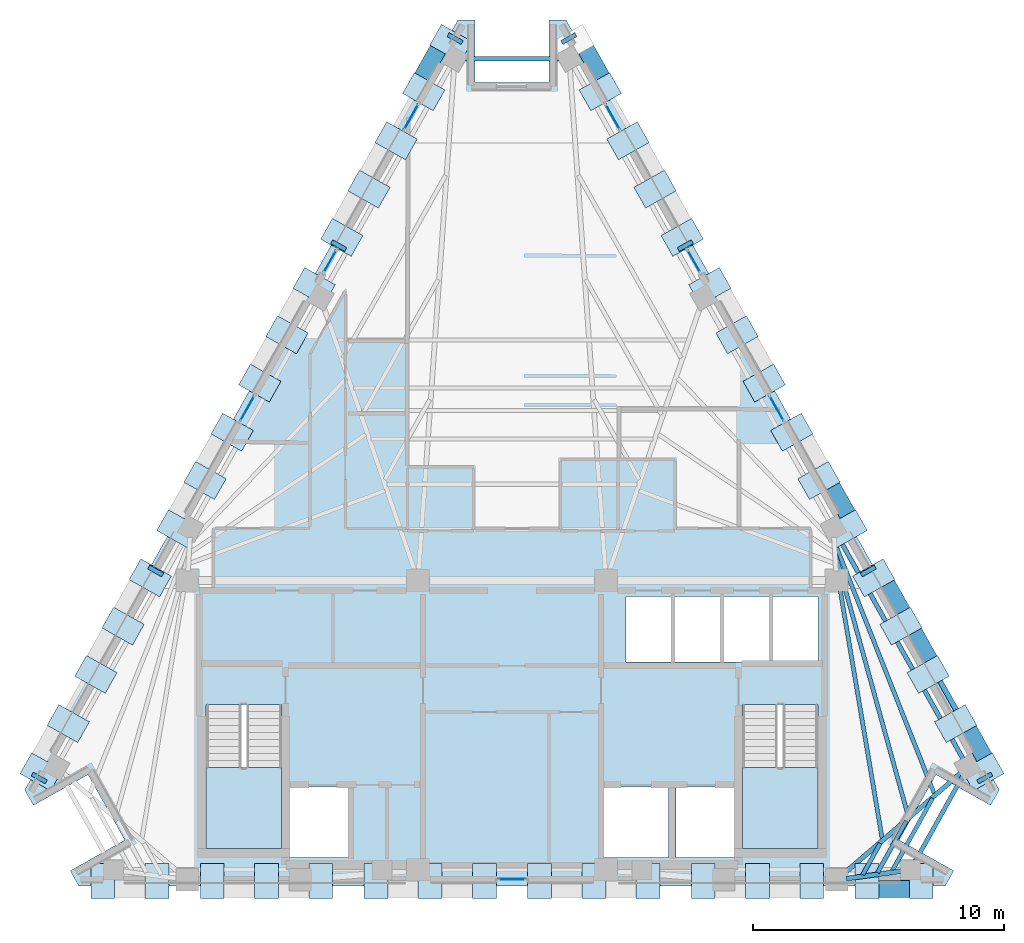
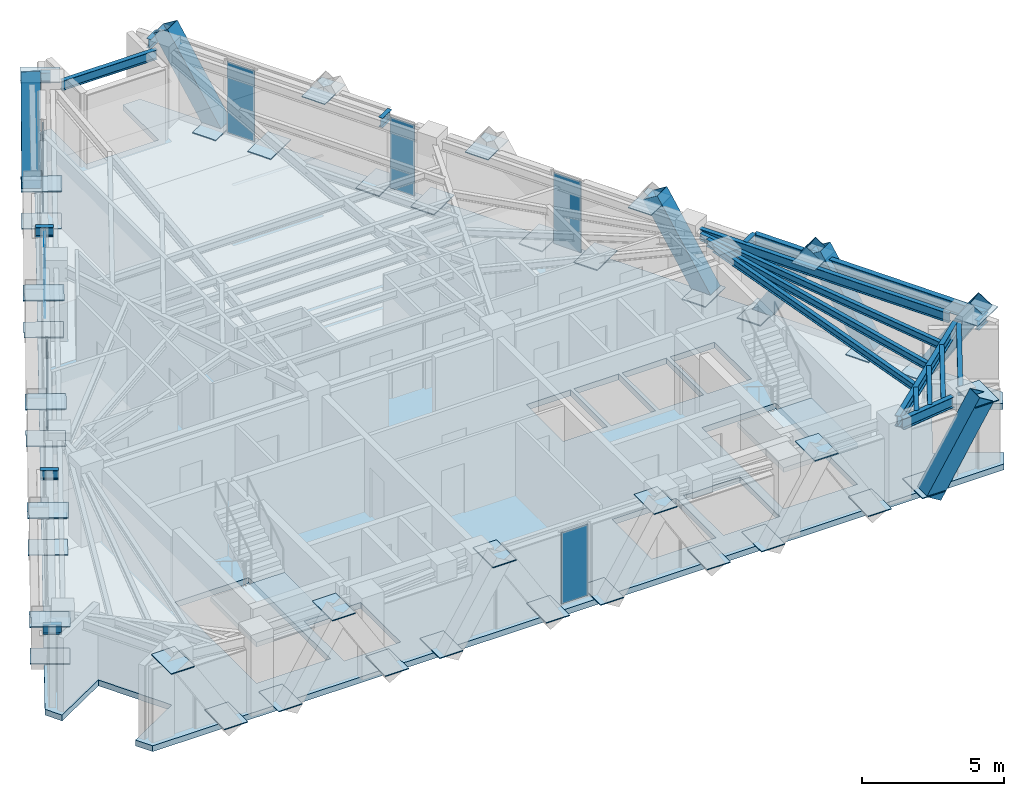
# One storey, part 4 of 9: 54 plates, 20 beams, 7 members, 3 slabs, 9 elements without a shape of their own.
"""IFC4 building model written with IfcOpenShell, lengths in metres."""

from ifc_helpers import new_model, si_unit, direction, frame, origin, origin_2d, place, context, subcontext, project, spatial, polyline, rectangle, hollow_rectangle, i_section, outline, extrude, material, layer, layer_set, material_profile, profile_set, type_object, element, aggregate, save


model = new_model("IFC4")

# Units and contexts
model_context = context("Model", 3, precision=1e-05, world=origin(), true_north=direction((0.0, 1.0)))
body_context = subcontext(model_context, "Body", "Model", "MODEL_VIEW")
ifc_project = project(units=[si_unit("LENGTHUNIT", "METRE"), si_unit("AREAUNIT", "SQUARE_METRE"), si_unit("VOLUMEUNIT", "CUBIC_METRE"), si_unit("PLANEANGLEUNIT", "RADIAN"), si_unit("MASSUNIT", "GRAM", prefix="KILO")], contexts=[model_context])

# Site, building, storey
site_placement = place(None, origin())
site = spatial("IfcSite", under=ifc_project, at=site_placement, CompositionType="ELEMENT")
building_placement = place(site_placement, origin())
building = spatial("IfcBuilding", under=site, at=building_placement, Name="Quenlor Broadcast Tower", CompositionType="ELEMENT")
storey_placement = place(building_placement, frame((0.0, 0.0, 267.39990234375)))
storey = spatial("IfcBuildingStorey", under=building, at=storey_placement, Name="L74", CompositionType="ELEMENT", Elevation=267.39990234375)

# Members
ifc_material_1 = material(Name="Steel S355", Category="steel")
ifc_material_profile_1 = material_profile(ifc_material_1, hollow_rectangle(XDim=0.679931640625, YDim=0.679931640625, WallThickness=0.02001953125, at=origin_2d()))
ifc_profile_set_1 = profile_set([ifc_material_profile_1], Name="Steel S355 RHS680x680x20")
member_type = type_object("IfcMemberType", Name="Perimeter Diagonal Lattice Brace Z5-Crown Steel S355 RHS680x20", PredefinedType="BRACE", material=ifc_profile_set_1)
member_placement = place(storey_placement, frame((14.165771484375, -17.1201171875, -0.119873046875), z_axis=(0.523616565236, 0.0, 0.85195404372), x_axis=(0.0, 1.0, 0.0)))
element("IfcMember", 1, at=member_placement, inside=storey, type_object=member_type, Name="L74 Perimeter Diamond Lattice S-C1B", PredefinedType="BRACE", context=body_context, shape_type="SweptSolid", body=[
    extrude(hollow_rectangle(XDim=0.679931640625, YDim=0.679931640625, WallThickness=0.02001953125, at=origin_2d()), origin(), (0.0, 0.0, 1.0), 4.108154296875),
])
for number, where, z_axis, x_axis, name in (
    (2, (3.813720703125, 14.864990234375, -0.119873046875), (-0.260618804175, 0.463276364439, 0.847025884529), (-0.8715547569, -0.490298180422, 0.0), "L74 Perimeter Diamond Lattice NE-C1B"),
    (3, (14.725830078125, -4.534423828125, -0.119873046875), (0.260563732169, -0.463283497491, 0.847038926161), (0.871602253711, 0.49021374045, 0.0), "L74 Perimeter Diamond Lattice NE-C4S"),
    (4, (13.622802734375, -2.573486328125, -0.119873046875), (-0.260618804175, 0.463276364439, 0.847025884529), (-0.8715547569, -0.490298180422, 0.0), "L74 Perimeter Diamond Lattice NE-C4B"),
    (5, (17.99560546875, -10.34716796875, -0.119873046875), (0.260563732169, -0.463283497491, 0.847038926161), (0.871602253711, 0.49021374045, 0.0), "L74 Perimeter Diamond Lattice NE-C5S"),
    (6, (16.892578125, -8.38623046875, -0.119873046875), (-0.260618804175, 0.463276364439, 0.847025884529), (-0.8715547569, -0.490298180422, 0.0), "L74 Perimeter Diamond Lattice NE-C5B"),
    (7, (-3.813720703125, 14.864990234375, -0.119873046875), (0.260618804175, 0.463276364439, 0.847025884529), (-0.8715547569, 0.490298180422, 0.0), "L74 Perimeter Diamond Lattice NW-C5S"),
):
    element("IfcMember", number, at=place(storey_placement, frame(where, z_axis=z_axis, x_axis=x_axis)), inside=storey, type_object=member_type, Name=name, PredefinedType="BRACE", context=body_context, shape_type="SweptSolid", body=[
        extrude(hollow_rectangle(XDim=0.679931640625, YDim=0.679931640625, WallThickness=0.02001953125, at=origin_2d()), origin(), (0.0, 0.0, 1.0), 4.132080078125),
    ])

# Beams
ifc_material_2 = material(Name="Steel S355", Category="steel")
ifc_material_profile_2 = material_profile(ifc_material_2, i_section(OverallWidth=0.208984375, OverallDepth=0.532958984375, WebThickness=0.01025390625, FlangeThickness=0.015625, FilletRadius=0.013916015625, at=origin_2d()))
ifc_profile_set_2 = profile_set([ifc_material_profile_2], Name="Steel S355 530UB92.4")
beam_type_1 = type_object("IfcBeamType", Name="Perimeter Spandrel Beam Z1 Steel S355 530UB92.4", PredefinedType="SPANDREL", material=ifc_profile_set_2)
beam_1_placement = place(storey_placement, frame((14.521484375, -4.27294921875, 2.91357421875), z_axis=(0.490248956779, -0.871582446116, 0.0), x_axis=(0.871582446116, 0.490248956779, 0.0)))
element("IfcBeam", 8, at=beam_1_placement, inside=storey, type_object=beam_type_1, Name="L74 Lattice Sill Girder NEB", PredefinedType="SPANDREL", context=body_context, shape_type="SweptSolid", body=[
    extrude(i_section(OverallWidth=0.208984375, OverallDepth=0.532958984375, WebThickness=0.01025390625, FlangeThickness=0.015625, FilletRadius=0.013916015625, at=origin_2d()), origin(), (0.0, 0.0, 1.0), 9.43701171875),
])
ifc_material_3 = material(Name="Steel S355", Category="steel")
ifc_material_profile_3 = material_profile(ifc_material_3, i_section(OverallWidth=0.177978515625, OverallDepth=0.406494140625, WebThickness=0.0078125, FlangeThickness=0.0126953125, FilletRadius=0.011474609375, at=origin_2d()))
ifc_profile_set_3 = profile_set([ifc_material_profile_3], Name="Steel S355 410UB59.7")
beam_type_2 = type_object("IfcBeamType", Name="Perimeter Spandrel Beam Z5 Steel S355 410UB59.7", PredefinedType="SPANDREL", material=ifc_profile_set_3)
beam_2_placement = place(storey_placement, frame((16.07275390625, -16.035400390625, 2.976806640625), z_axis=(0.486800618374, 0.873513112638, 0.0), x_axis=(-0.873513112638, 0.486800618374, 0.0)))
element("IfcBeam", 9, at=beam_2_placement, inside=storey, type_object=beam_type_2, Name="L74 Spandrel Beam S4-NE1", PredefinedType="SPANDREL", context=body_context, shape_type="SweptSolid", body=[
    extrude(i_section(OverallWidth=0.177978515625, OverallDepth=0.406494140625, WebThickness=0.0078125, FlangeThickness=0.0126953125, FilletRadius=0.011474609375, at=origin_2d()), origin(), (0.0, 0.0, 1.0), 3.9736328125),
])
beam_3_placement = place(storey_placement, frame((18.005859375, -11.93603515625, 2.976806640625), z_axis=(-0.490274867878, 0.871567871096, 0.0), x_axis=(-0.871567871096, -0.490274867878, 0.0)))
element("IfcBeam", 10, at=beam_3_placement, inside=storey, type_object=beam_type_2, Name="L74 Spandrel Beam NE1-NE2", PredefinedType="SPANDREL", context=body_context, shape_type="SweptSolid", body=[
    extrude(i_section(OverallWidth=0.177978515625, OverallDepth=0.406494140625, WebThickness=0.0078125, FlangeThickness=0.0126953125, FilletRadius=0.011474609375, at=origin_2d()), origin(), (0.0, 0.0, 1.0), 10.206298828125),
])
beam_4_placement = place(storey_placement, frame((1.9248046875, 16.012451171875, 2.976806640625), z_axis=(-1.0, 0.0, 0.0), x_axis=(0.0, -1.0, 0.0)))
element("IfcBeam", 11, at=beam_4_placement, inside=storey, type_object=beam_type_2, Name="L74 Spandrel Beam NE4-NW1", PredefinedType="SPANDREL", context=body_context, shape_type="SweptSolid", body=[
    extrude(i_section(OverallWidth=0.177978515625, OverallDepth=0.406494140625, WebThickness=0.0078125, FlangeThickness=0.0126953125, FilletRadius=0.011474609375, at=origin_2d()), origin(), (0.0, 0.0, 1.0), 3.849609375),
])
for number, where, z_axis, x_axis, name in (
    (12, (1.989013671875, 16.66064453125, 2.976806640625), (0.871463475609, 0.490460406842, 0.0), (-0.490460406842, 0.871463475609, 0.0), "L74 Lattice Sill Radial Tie NEA1"),
    (13, (6.635009765625, 8.40087890625, 2.976806640625), (0.871718074313, 0.490007753934, 0.0), (-0.490007753934, 0.871718074313, 0.0), "L74 Lattice Sill Radial Tie NEA2"),
    (14, (13.936279296875, -4.5791015625, 2.976806640625), (0.871626468653, 0.490170683684, 0.0), (-0.490170683684, 0.871626468653, 0.0), "L74 Lattice Sill Radial Tie NEB1"),
    (15, (18.58251953125, -12.839111328125, 2.976806640625), (0.871626468653, 0.490170683684, 0.0), (-0.490170683684, 0.871626468653, 0.0), "L74 Lattice Sill Radial Tie NEB2"),
    (16, (-18.58251953125, -12.839111328125, 2.976806640625), (-0.871626468653, 0.490170683684, 0.0), (-0.490170683684, -0.871626468653, 0.0), "L74 Lattice Sill Radial Tie NWA1"),
    (17, (-13.936279296875, -4.5791015625, 2.976806640625), (-0.871626468653, 0.490170683684, 0.0), (-0.490170683684, -0.871626468653, 0.0), "L74 Lattice Sill Radial Tie NWA2"),
    (18, (-6.635009765625, 8.40087890625, 2.976806640625), (-0.871718074313, 0.490007753934, 0.0), (-0.490007753934, -0.871718074313, 0.0), "L74 Lattice Sill Radial Tie NWB1"),
    (19, (-1.989013671875, 16.66064453125, 2.976806640625), (-0.871463475609, 0.490460406842, 0.0), (-0.490460406842, -0.871463475609, 0.0), "L74 Lattice Sill Radial Tie NWB2"),
):
    element("IfcBeam", number, at=place(storey_placement, frame(where, z_axis=z_axis, x_axis=x_axis)), inside=storey, type_object=beam_type_2, Name=name, PredefinedType="SPANDREL", context=body_context, shape_type="SweptSolid", body=[
        extrude(i_section(OverallWidth=0.177978515625, OverallDepth=0.406494140625, WebThickness=0.0078125, FlangeThickness=0.0126953125, FilletRadius=0.011474609375, at=origin_2d()), origin(), (0.0, 0.0, 1.0), 0.64013671875),
    ])
ifc_material_4 = material(Name="Steel S355", Category="steel")
ifc_material_profile_4 = material_profile(ifc_material_4, i_section(OverallWidth=0.166015625, OverallDepth=0.30712890625, WebThickness=0.006591796875, FlangeThickness=0.01171875, FilletRadius=0.011474609375, at=origin_2d()))
ifc_profile_set_4 = profile_set([ifc_material_profile_4], Name="Steel S355 310UB46.2")
beam_type_3 = type_object("IfcBeamType", Name="Tower Composite Joist Z4-Z5 Steel S355 310UB46.2", PredefinedType="JOIST", material=ifc_profile_set_4)
beam_5_placement = place(storey_placement, frame((14.76806640625, -15.09619140625, 3.026611328125), z_axis=(-0.166553293246, 0.986032454085, 0.0), x_axis=(-0.986032454085, -0.166553293246, 0.0)))
element("IfcBeam", 20, at=beam_5_placement, inside=storey, type_object=beam_type_3, Name="L74 Secondary Composite Joist 16", PredefinedType="JOIST", context=body_context, shape_type="SweptSolid", body=[
    extrude(i_section(OverallWidth=0.166015625, OverallDepth=0.30712890625, WebThickness=0.006591796875, FlangeThickness=0.01171875, FilletRadius=0.011474609375, at=origin_2d()), origin(), (0.0, 0.0, 1.0), 11.097900390625),
])
beam_6_placement = place(storey_placement, frame((15.806396484375, -14.197998046875, 3.026611328125), z_axis=(-0.26744552871, 0.96357298072, 0.0), x_axis=(-0.96357298072, -0.26744552871, 0.0)))
element("IfcBeam", 21, at=beam_6_placement, inside=storey, type_object=beam_type_3, Name="L74 Secondary Composite Joist 17", PredefinedType="JOIST", context=body_context, shape_type="SweptSolid", body=[
    extrude(i_section(OverallWidth=0.166015625, OverallDepth=0.30712890625, WebThickness=0.006591796875, FlangeThickness=0.01171875, FilletRadius=0.011474609375, at=origin_2d()), origin(), (0.0, 0.0, 1.0), 10.856689453125),
])
beam_7_placement = place(storey_placement, frame((16.8447265625, -13.300537109375, 3.026611328125), z_axis=(-0.368680258049, 0.929556274426, 0.0), x_axis=(-0.929556274426, -0.368680258049, 0.0)))
element("IfcBeam", 22, at=beam_7_placement, inside=storey, type_object=beam_type_3, Name="L74 Secondary Composite Joist 18", PredefinedType="JOIST", context=body_context, shape_type="SweptSolid", body=[
    extrude(i_section(OverallWidth=0.166015625, OverallDepth=0.30712890625, WebThickness=0.006591796875, FlangeThickness=0.01171875, FilletRadius=0.011474609375, at=origin_2d()), origin(), (0.0, 0.0, 1.0), 10.737548828125),
])
beam_8_placement = place(storey_placement, frame((13.9912109375, -16.544189453125, 3.026611328125), z_axis=(0.486624304452, 0.873611347406, 0.0), x_axis=(-0.873611347406, 0.486624304452, 0.0)))
element("IfcBeam", 23, at=beam_8_placement, inside=storey, type_object=beam_type_3, Name="L74 Secondary Composite Joist 22", PredefinedType="JOIST", context=body_context, shape_type="SweptSolid", body=[
    extrude(i_section(OverallWidth=0.166015625, OverallDepth=0.30712890625, WebThickness=0.006591796875, FlangeThickness=0.01171875, FilletRadius=0.011474609375, at=origin_2d()), origin(), (0.0, 0.0, 1.0), 1.435791015625),
])
beam_9_placement = place(storey_placement, frame((14.58056640625, -16.464111328125, 3.026611328125), z_axis=(0.486820963037, 0.873501774439, 0.0), x_axis=(-0.873501774439, 0.486820963037, 0.0)))
element("IfcBeam", 24, at=beam_9_placement, inside=storey, type_object=beam_type_3, Name="L74 Secondary Composite Joist 23", PredefinedType="JOIST", context=body_context, shape_type="SweptSolid", body=[
    extrude(i_section(OverallWidth=0.166015625, OverallDepth=0.30712890625, WebThickness=0.006591796875, FlangeThickness=0.01171875, FilletRadius=0.011474609375, at=origin_2d()), origin(), (0.0, 0.0, 1.0), 2.37451171875),
])
beam_10_placement = place(storey_placement, frame((15.170166015625, -16.384033203125, 3.026611328125), z_axis=(0.486762404011, 0.873534408046, 0.0), x_axis=(-0.873534408046, 0.486762404011, 0.0)))
element("IfcBeam", 25, at=beam_10_placement, inside=storey, type_object=beam_type_3, Name="L74 Secondary Composite Joist 24", PredefinedType="JOIST", context=body_context, shape_type="SweptSolid", body=[
    extrude(i_section(OverallWidth=0.166015625, OverallDepth=0.30712890625, WebThickness=0.006591796875, FlangeThickness=0.01171875, FilletRadius=0.011474609375, at=origin_2d()), origin(), (0.0, 0.0, 1.0), 3.313232421875),
])
ifc_material_5 = material(Name="Steel S355", Category="steel")
ifc_material_profile_5 = material_profile(ifc_material_5, i_section(OverallWidth=0.19091796875, OverallDepth=0.46044921875, WebThickness=0.010009765625, FlangeThickness=0.01611328125, FilletRadius=0.011474609375, at=origin_2d()))
ifc_profile_set_5 = profile_set([ifc_material_profile_5], Name="Steel S355 460UB82.1")
beam_type_4 = type_object("IfcBeamType", Name="Tower Primary Floor Beam Z5 Steel S355 460UB82.1", PredefinedType="BEAM", material=ifc_profile_set_5)
beam_11_placement = place(storey_placement, frame((15.541015625, -16.3984375, 2.949951171875), z_axis=(-0.990917044125, -0.134474576267, 0.0), x_axis=(0.134474576267, -0.990917044125, 0.0)))
element("IfcBeam", 26, at=beam_11_placement, inside=storey, type_object=beam_type_4, Name="L74 Primary Radial Beam S4", PredefinedType="BEAM", context=body_context, shape_type="SweptSolid", body=[
    extrude(i_section(OverallWidth=0.19091796875, OverallDepth=0.46044921875, WebThickness=0.010009765625, FlangeThickness=0.01611328125, FilletRadius=0.011474609375, at=origin_2d()), origin(), (0.0, 0.0, 1.0), 2.23486328125),
])
beam_12_placement = place(storey_placement, frame((17.909423828125, -12.484619140625, 2.949951171875), z_axis=(-0.75817030855, -0.652056579779, 0.0), x_axis=(0.652056579779, -0.75817030855, 0.0)))
element("IfcBeam", 27, at=beam_12_placement, inside=storey, type_object=beam_type_4, Name="L74 Primary Radial Beam NE1", PredefinedType="BEAM", context=body_context, shape_type="SweptSolid", body=[
    extrude(i_section(OverallWidth=0.19091796875, OverallDepth=0.46044921875, WebThickness=0.010009765625, FlangeThickness=0.01611328125, FilletRadius=0.011474609375, at=origin_2d()), origin(), (0.0, 0.0, 1.0), 6.161376953125),
])

# Curtain wall, plate
ifc_material_6 = material(Name="Architectural Terracotta and Low-E Glazing", Category="masonry")
curtain_wall_type = type_object("IfcCurtainWallType", Name="Unitised Terracotta Curtain Wall System Z5", PredefinedType="NOTDEFINED", material=ifc_material_6)
curtain_wall_1_placement = place(storey_placement, origin())
curtain_wall_1 = element("IfcCurtainWall", 28, at=curtain_wall_1_placement, inside=storey, type_object=curtain_wall_type, Name="L74 Curtain Wall CW5 (L74-S-G1)", PredefinedType="NOTDEFINED")
ifc_material_7 = material(Name="Double Glazed Low-E Solar Glass", Category="glass")
ifc_layer_1 = layer(ifc_material_7, 0.02587890625)
ifc_layer_set_1 = layer_set([ifc_layer_1], Name="CW5 Double Glazed Vision Panel 26")
plate_type_1 = type_object("IfcPlateType", Name="CW5 Double Glazed Vision Panel 26", PredefinedType="CURTAIN_PANEL", material=ifc_layer_set_1)
plate_1_placement = place(storey_placement, frame((0.0, -16.72509765625, 0.06494140625), z_axis=(0.0, 0.0, 1.0), x_axis=(-1.0, 0.0, 0.0)))
plate_1 = element("IfcPlate", 29, at=plate_1_placement, type_object=plate_type_1, Name="CW5 panel 1.1", PredefinedType="CURTAIN_PANEL", context=body_context, shape_type="SweptSolid", body=[
    extrude(rectangle(XDim=1.081298828125, YDim=0.02587890625, at=origin_2d()), origin(), (0.0, 0.0, 1.0), 3.050048828125),
])
aggregate(curtain_wall_1, [plate_1])

curtain_wall_2_placement = place(storey_placement, origin())
curtain_wall_2 = element("IfcCurtainWall", 30, at=curtain_wall_2_placement, inside=storey, type_object=curtain_wall_type, Name="L74 Curtain Wall CW5 (L74-NEA-G1)", PredefinedType="NOTDEFINED")
plate_2_placement = place(storey_placement, frame((4.02099609375, 13.69091796875, 0.06494140625), z_axis=(0.0, 0.0, 1.0), x_axis=(0.49029137745, -0.871558583916, 0.0)))
plate_2 = element("IfcPlate", 31, at=plate_2_placement, type_object=plate_type_1, Name="CW5 panel 1.1", PredefinedType="CURTAIN_PANEL", context=body_context, shape_type="SweptSolid", body=[
    extrude(rectangle(XDim=1.13037109375, YDim=0.02587890625, at=origin_2d()), origin(), (0.0, 0.0, 1.0), 3.050048828125),
])
aggregate(curtain_wall_2, [plate_2])

curtain_wall_3_placement = place(storey_placement, origin())
curtain_wall_3 = element("IfcCurtainWall", 32, at=curtain_wall_3_placement, inside=storey, type_object=curtain_wall_type, Name="L74 Curtain Wall CW5 (L74-NEA-G2)", PredefinedType="NOTDEFINED")
plate_3_placement = place(storey_placement, frame((7.258056640625, 7.935791015625, 0.06494140625), z_axis=(0.0, 0.0, 1.0), x_axis=(0.490282293669, -0.871563693894, 0.0)))
plate_3 = element("IfcPlate", 33, at=plate_3_placement, type_object=plate_type_1, Name="CW5 panel 1.1", PredefinedType="CURTAIN_PANEL", context=body_context, shape_type="SweptSolid", body=[
    extrude(rectangle(XDim=0.99755859375, YDim=0.02587890625, at=origin_2d()), origin(), (0.0, 0.0, 1.0), 3.050048828125),
])
aggregate(curtain_wall_3, [plate_3])

curtain_wall_4_placement = place(storey_placement, origin())
curtain_wall_4 = element("IfcCurtainWall", 34, at=curtain_wall_4_placement, inside=storey, type_object=curtain_wall_type, Name="L74 Curtain Wall CW5 (L74-NE-G1)", PredefinedType="NOTDEFINED")
plate_4_placement = place(storey_placement, frame((10.560302734375, 2.065185546875, 0.06494140625), z_axis=(0.0, 0.0, 1.0), x_axis=(0.490231100048, -0.871592489955, 0.0)))
plate_4 = element("IfcPlate", 35, at=plate_4_placement, type_object=plate_type_1, Name="CW5 panel 1.1", PredefinedType="CURTAIN_PANEL", context=body_context, shape_type="SweptSolid", body=[
    extrude(rectangle(XDim=1.130126953125, YDim=0.02587890625, at=origin_2d()), origin(), (0.0, 0.0, 1.0), 3.050048828125),
])
aggregate(curtain_wall_4, [plate_4])

curtain_wall_5_placement = place(storey_placement, origin())
curtain_wall_5 = element("IfcCurtainWall", 36, at=curtain_wall_5_placement, inside=storey, type_object=curtain_wall_type, Name="L74 Curtain Wall CW5 (L74-NWC-G1)", PredefinedType="NOTDEFINED")
plate_5_placement = place(storey_placement, frame((-7.258056640625, 7.935791015625, 0.06494140625), z_axis=(0.0, 0.0, 1.0), x_axis=(0.490282293669, 0.871563693894, 0.0)))
plate_5 = element("IfcPlate", 37, at=plate_5_placement, type_object=plate_type_1, Name="CW5 panel 1.1", PredefinedType="CURTAIN_PANEL", context=body_context, shape_type="SweptSolid", body=[
    extrude(rectangle(XDim=0.99755859375, YDim=0.02587890625, at=origin_2d()), origin(), (0.0, 0.0, 1.0), 3.050048828125),
])
aggregate(curtain_wall_5, [plate_5])

curtain_wall_6_placement = place(storey_placement, origin())
curtain_wall_6 = element("IfcCurtainWall", 38, at=curtain_wall_6_placement, inside=storey, type_object=curtain_wall_type, Name="L74 Curtain Wall CW5 (L74-NWC-G2)", PredefinedType="NOTDEFINED")
plate_6_placement = place(storey_placement, frame((-4.02099609375, 13.69091796875, 0.06494140625), z_axis=(0.0, 0.0, 1.0), x_axis=(0.49029137745, 0.871558583916, 0.0)))
plate_6 = element("IfcPlate", 39, at=plate_6_placement, type_object=plate_type_1, Name="CW5 panel 1.1", PredefinedType="CURTAIN_PANEL", context=body_context, shape_type="SweptSolid", body=[
    extrude(rectangle(XDim=1.13037109375, YDim=0.02587890625, at=origin_2d()), origin(), (0.0, 0.0, 1.0), 3.050048828125),
])
aggregate(curtain_wall_6, [plate_6])

curtain_wall_7_placement = place(storey_placement, origin())
curtain_wall_7 = element("IfcCurtainWall", 40, at=curtain_wall_7_placement, inside=storey, type_object=curtain_wall_type, Name="L74 Curtain Wall CW5 (L74-NW-G1)", PredefinedType="NOTDEFINED")
plate_7_placement = place(storey_placement, frame((-10.560302734375, 2.065185546875, 0.06494140625), z_axis=(0.0, 0.0, 1.0), x_axis=(0.490231100048, 0.871592489955, 0.0)))
plate_7 = element("IfcPlate", 41, at=plate_7_placement, type_object=plate_type_1, Name="CW5 panel 1.1", PredefinedType="CURTAIN_PANEL", context=body_context, shape_type="SweptSolid", body=[
    extrude(rectangle(XDim=1.130126953125, YDim=0.02587890625, at=origin_2d()), origin(), (0.0, 0.0, 1.0), 3.050048828125),
])
aggregate(curtain_wall_7, [plate_7])

# Stair, slab
ifc_material_8 = material(Name="Precast concrete C40/50", Category="concrete")
stair_type = type_object("IfcStairType", Name="Precast Concrete C40/50 Dogleg Stair H350", PredefinedType="HALF_TURN_STAIR", material=ifc_material_8)
stair_1_placement = place(storey_placement, origin())
stair_1 = element("IfcStair", 42, at=stair_1_placement, inside=storey, type_object=stair_type, Name="L74 West Core Fire-Isolated Exit Stair ST-1", PredefinedType="HALF_TURN_STAIR")
ifc_material_9 = material(Name="Precast concrete C40/50", Category="concrete")
ifc_layer_2 = layer(ifc_material_9, 0.199951171875)
ifc_layer_set_2 = layer_set([ifc_layer_2], Name="Precast Concrete C40/50 Stair Landing Slab 200")
slab_type_1 = type_object("IfcSlabType", Name="Precast Concrete C40/50 Stair Landing Slab 200", PredefinedType="LANDING", material=ifc_layer_set_2)
slab_1_placement = place(storey_placement, frame((0.0, 0.0, 1.550048828125)))
slab_1 = element("IfcSlab", 43, at=slab_1_placement, type_object=slab_type_1, Name="ST-1 landing 1", PredefinedType="LANDING", context=body_context, shape_type="SweptSolid", body=[
    extrude(outline(polyline([(-12.199951171875, -12.27001953125), (-12.199951171875, -15.5), (-9.199951171875, -15.5), (-9.199951171875, -12.27001953125), (-12.199951171875, -12.27001953125)])), origin(), (0.0, 0.0, 1.0), 0.199951171875),
])
aggregate(stair_1, [slab_1])

stair_2_placement = place(storey_placement, origin())
stair_2 = element("IfcStair", 44, at=stair_2_placement, inside=storey, type_object=stair_type, Name="L74 East Core Fire-Isolated Exit Stair ST-2", PredefinedType="HALF_TURN_STAIR")
slab_2_placement = place(storey_placement, frame((0.0, 0.0, 1.550048828125)))
slab_2 = element("IfcSlab", 45, at=slab_2_placement, type_object=slab_type_1, Name="ST-2 landing 1", PredefinedType="LANDING", context=body_context, shape_type="SweptSolid", body=[
    extrude(outline(polyline([(9.199951171875, -12.27001953125), (9.199951171875, -15.5), (12.199951171875, -15.5), (12.199951171875, -12.27001953125), (9.199951171875, -12.27001953125)])), origin(), (0.0, 0.0, 1.0), 0.199951171875),
])
aggregate(stair_2, [slab_2])

# Slab
ifc_material_10 = material(Name="Concrete C40/50", Category="concrete")
ifc_layer_3 = layer(ifc_material_10, 0.25)
ifc_layer_set_3 = layer_set([ifc_layer_3], Name="Tower Composite Concrete C40/50 Slab 250")
slab_type_2 = type_object("IfcSlabType", Name="Tower Composite Concrete C40/50 Slab 250", PredefinedType="FLOOR", material=ifc_layer_set_3)
slab_3_placement = place(storey_placement, frame((0.0, 0.0, -0.25)))
element("IfcSlab", 46, at=slab_3_placement, inside=storey, type_object=slab_type_2, Name="L74 Structural Floor Slab", PredefinedType="FLOOR", context=body_context, shape_type="SweptSolid", body=[
    extrude(outline(polyline([(17.280029296875, -17.0), (17.62548828125, -16.385498046875), (15.44677734375, -15.159912109375), (16.91552734375, -12.548583984375), (19.094482421875, -13.7744140625), (19.43994140625, -13.159912109375), (2.159912109375, 17.56005859375), (1.46875, 17.56005859375), (1.46875, 15.06005859375), (-1.46875, 15.06005859375), (-1.46875, 17.56005859375), (-2.159912109375, 17.56005859375), (-19.43994140625, -13.159912109375), (-19.094482421875, -13.7744140625), (-16.91552734375, -12.548583984375), (-15.44677734375, -15.159912109375), (-17.62548828125, -16.385498046875), (-17.280029296875, -17.0), (17.280029296875, -17.0)]), holes=[polyline([(-12.199951171875, -9.758056640625), (-12.199951171875, -15.5), (-9.199951171875, -15.5), (-9.199951171875, -9.758056640625), (-12.199951171875, -9.758056640625)]), polyline([(9.199951171875, -9.758056640625), (9.199951171875, -15.5), (12.199951171875, -15.5), (12.199951171875, -9.758056640625), (9.199951171875, -9.758056640625)]), polyline([(4.550048828125, -8.050048828125), (6.35009765625, -8.050048828125), (6.35009765625, -5.449951171875), (4.550048828125, -5.449951171875), (4.550048828125, -8.050048828125)]), polyline([(6.5, -8.050048828125), (8.300048828125, -8.050048828125), (8.300048828125, -5.449951171875), (6.5, -5.449951171875), (6.5, -8.050048828125)]), polyline([(8.449951171875, -8.050048828125), (10.25, -8.050048828125), (10.25, -5.449951171875), (8.449951171875, -5.449951171875), (8.449951171875, -8.050048828125)]), polyline([(10.39990234375, -8.050048828125), (12.199951171875, -8.050048828125), (12.199951171875, -5.449951171875), (10.39990234375, -5.449951171875), (10.39990234375, -8.050048828125)]), polyline([(-8.85009765625, -15.85009765625), (-6.550048828125, -15.85009765625), (-6.550048828125, -13.050048828125), (-8.85009765625, -13.050048828125), (-8.85009765625, -15.85009765625)]), polyline([(6.550048828125, -15.85009765625), (8.85009765625, -15.85009765625), (8.85009765625, -13.050048828125), (6.550048828125, -13.050048828125), (6.550048828125, -15.85009765625)]), polyline([(3.64990234375, -15.85009765625), (6.25, -15.85009765625), (6.25, -13.050048828125), (3.64990234375, -13.050048828125), (3.64990234375, -15.85009765625)])]), origin(), (0.0, 0.0, 1.0), 0.25),
])

# Plates
ifc_material_11 = material(Name="Steel S355", Category="steel")
ifc_layer_4 = layer(ifc_material_11, 0.035888671875)
ifc_layer_set_4 = layer_set([ifc_layer_4], Name="Transfer Truss Steel S355 Gusset Node Plate 1400x950x36")
plate_type_2 = type_object("IfcPlateType", Name="Transfer Truss Steel S355 Gusset Node Plate 1400x950x36", PredefinedType="SHEET", material=ifc_layer_set_4)
for number, where, z_axis, x_axis, name in (
    (47, (11.96240234375, -16.784912109375, 0.0419921875), (0.0, 0.0, 1.0), (0.0, -1.0, 0.0), "L74 Lattice Tie Gusset Node S-B2"),
    (48, (9.798095703125, -16.784912109375, 3.18212890625), (0.0, 0.0, 1.0), (0.0, -1.0, 0.0), "L74 Lattice Tie Gusset Node S-T3"),
    (49, (14.165771484375, -16.784912109375, 0.0419921875), (0.0, 0.0, 1.0), (0.0, -1.0, 0.0), "L74 Lattice Tie Gusset Node S-B1"),
    (50, (16.330078125, -16.784912109375, 3.18212890625), (0.0, 0.0, 1.0), (0.0, -1.0, 0.0), "L74 Lattice Tie Gusset Node S-T0"),
    (51, (5.430419921875, -16.784912109375, 0.0419921875), (0.0, 0.0, 1.0), (0.0, -1.0, 0.0), "L74 Lattice Tie Gusset Node S-B5"),
    (52, (3.26611328125, -16.784912109375, 3.18212890625), (0.0, 0.0, 1.0), (0.0, -1.0, 0.0), "L74 Lattice Tie Gusset Node S-T6"),
    (53, (7.6337890625, -16.784912109375, 0.0419921875), (0.0, 0.0, 1.0), (0.0, -1.0, 0.0), "L74 Lattice Tie Gusset Node S-B4"),
    (54, (-1.101806640625, -16.784912109375, 0.0419921875), (0.0, 0.0, 1.0), (0.0, -1.0, 0.0), "L74 Lattice Tie Gusset Node S-B8"),
    (55, (-3.26611328125, -16.784912109375, 3.18212890625), (0.0, 0.0, 1.0), (0.0, -1.0, 0.0), "L74 Lattice Tie Gusset Node S-T9"),
    (56, (1.101806640625, -16.784912109375, 0.0419921875), (0.0, 0.0, 1.0), (0.0, -1.0, 0.0), "L74 Lattice Tie Gusset Node S-B7"),
    (57, (-7.6337890625, -16.784912109375, 0.0419921875), (0.0, 0.0, 1.0), (0.0, -1.0, 0.0), "L74 Lattice Tie Gusset Node S-B11"),
    (58, (-9.798095703125, -16.784912109375, 3.18212890625), (0.0, 0.0, 1.0), (0.0, -1.0, 0.0), "L74 Lattice Tie Gusset Node S-T12"),
    (59, (-5.430419921875, -16.784912109375, 0.0419921875), (0.0, 0.0, 1.0), (0.0, -1.0, 0.0), "L74 Lattice Tie Gusset Node S-B10"),
    (60, (-14.165771484375, -16.784912109375, 0.0419921875), (0.0, 0.0, 1.0), (0.0, -1.0, 0.0), "L74 Lattice Tie Gusset Node S-B14"),
    (61, (-16.330078125, -16.784912109375, 3.18212890625), (0.0, 0.0, 1.0), (0.0, -1.0, 0.0), "L74 Lattice Tie Gusset Node S-T15"),
    (62, (-11.96240234375, -16.784912109375, 0.0419921875), (0.0, 0.0, 1.0), (0.0, -1.0, 0.0), "L74 Lattice Tie Gusset Node S-B13"),
    (63, (4.624755859375, 12.73974609375, 0.0419921875), (0.0, 0.0, 1.0), (0.871556314255, 0.490295412055, 0.0), "L74 Lattice Tie Gusset Node NE-B2"),
    (64, (5.7080078125, 10.813720703125, 3.18212890625), (0.0, 0.0, 1.0), (0.871556314255, 0.490295412055, 0.0), "L74 Lattice Tie Gusset Node NE-T3"),
    (65, (3.521728515625, 14.70068359375, 0.0419921875), (0.0, 0.0, 1.0), (0.871556314255, 0.490295412055, 0.0), "L74 Lattice Tie Gusset Node NE-B1"),
    (66, (7.894287109375, 6.927001953125, 0.0419921875), (0.0, 0.0, 1.0), (0.871556314255, 0.490295412055, 0.0), "L74 Lattice Tie Gusset Node NE-B5"),
    (67, (8.977783203125, 5.0009765625, 3.18212890625), (0.0, 0.0, 1.0), (0.871556314255, 0.490295412055, 0.0), "L74 Lattice Tie Gusset Node NE-T6"),
    (68, (6.79150390625, 8.8876953125, 0.0419921875), (0.0, 0.0, 1.0), (0.871556314255, 0.490295412055, 0.0), "L74 Lattice Tie Gusset Node NE-B4"),
    (69, (11.1640625, 1.1142578125, 0.0419921875), (0.0, 0.0, 1.0), (0.871556314255, 0.490295412055, 0.0), "L74 Lattice Tie Gusset Node NE-B8"),
    (70, (12.247314453125, -0.811767578125, 3.18212890625), (0.0, 0.0, 1.0), (0.871556314255, 0.490295412055, 0.0), "L74 Lattice Tie Gusset Node NE-T9"),
    (71, (10.06103515625, 3.074951171875, 0.0419921875), (0.0, 0.0, 1.0), (0.871556314255, 0.490295412055, 0.0), "L74 Lattice Tie Gusset Node NE-B7"),
    (72, (14.433837890625, -4.698486328125, 0.0419921875), (0.0, 0.0, 1.0), (0.871556314255, 0.490295412055, 0.0), "L74 Lattice Tie Gusset Node NE-B11"),
    (73, (15.51708984375, -6.62451171875, 3.18212890625), (0.0, 0.0, 1.0), (0.871556314255, 0.490295412055, 0.0), "L74 Lattice Tie Gusset Node NE-T12"),
    (74, (13.330810546875, -2.73779296875, 0.0419921875), (0.0, 0.0, 1.0), (0.871556314255, 0.490295412055, 0.0), "L74 Lattice Tie Gusset Node NE-B10"),
    (75, (17.70361328125, -10.511474609375, 0.0419921875), (0.0, 0.0, 1.0), (0.871556314255, 0.490295412055, 0.0), "L74 Lattice Tie Gusset Node NE-B14"),
    (76, (18.786865234375, -12.4375, 3.18212890625), (0.0, 0.0, 1.0), (0.871556314255, 0.490295412055, 0.0), "L74 Lattice Tie Gusset Node NE-T15"),
    (77, (16.6005859375, -8.550537109375, 0.0419921875), (0.0, 0.0, 1.0), (0.871556314255, 0.490295412055, 0.0), "L74 Lattice Tie Gusset Node NE-B13"),
    (78, (-16.6005859375, -8.550537109375, 0.0419921875), (0.0, 0.0, 1.0), (-0.871556314255, 0.490295412055, 0.0), "L74 Lattice Tie Gusset Node NW-B2"),
    (79, (-15.51708984375, -6.62451171875, 3.18212890625), (0.0, 0.0, 1.0), (-0.871556314255, 0.490295412055, 0.0), "L74 Lattice Tie Gusset Node NW-T3"),
    (80, (-17.70361328125, -10.511474609375, 0.0419921875), (0.0, 0.0, 1.0), (-0.871556314255, 0.490295412055, 0.0), "L74 Lattice Tie Gusset Node NW-B1"),
    (81, (-18.786865234375, -12.4375, 3.18212890625), (0.0, 0.0, 1.0), (-0.871556314255, 0.490295412055, 0.0), "L74 Lattice Tie Gusset Node NW-T0"),
    (82, (-13.330810546875, -2.73779296875, 0.0419921875), (0.0, 0.0, 1.0), (-0.871556314255, 0.490295412055, 0.0), "L74 Lattice Tie Gusset Node NW-B5"),
    (83, (-12.247314453125, -0.811767578125, 3.18212890625), (0.0, 0.0, 1.0), (-0.871556314255, 0.490295412055, 0.0), "L74 Lattice Tie Gusset Node NW-T6"),
    (84, (-14.433837890625, -4.698486328125, 0.0419921875), (0.0, 0.0, 1.0), (-0.871556314255, 0.490295412055, 0.0), "L74 Lattice Tie Gusset Node NW-B4"),
    (85, (-10.06103515625, 3.074951171875, 0.0419921875), (0.0, 0.0, 1.0), (-0.871556314255, 0.490295412055, 0.0), "L74 Lattice Tie Gusset Node NW-B8"),
    (86, (-8.977783203125, 5.0009765625, 3.18212890625), (0.0, 0.0, 1.0), (-0.871556314255, 0.490295412055, 0.0), "L74 Lattice Tie Gusset Node NW-T9"),
    (87, (-11.1640625, 1.1142578125, 0.0419921875), (0.0, 0.0, 1.0), (-0.871556314255, 0.490295412055, 0.0), "L74 Lattice Tie Gusset Node NW-B7"),
    (88, (-6.79150390625, 8.8876953125, 0.0419921875), (0.0, 0.0, 1.0), (-0.871556314255, 0.490295412055, 0.0), "L74 Lattice Tie Gusset Node NW-B11"),
    (89, (-5.7080078125, 10.813720703125, 3.18212890625), (0.0, 0.0, 1.0), (-0.871556314255, 0.490295412055, 0.0), "L74 Lattice Tie Gusset Node NW-T12"),
    (90, (-7.894287109375, 6.927001953125, 0.0419921875), (0.0, 0.0, 1.0), (-0.871556314255, 0.490295412055, 0.0), "L74 Lattice Tie Gusset Node NW-B10"),
    (91, (-3.521728515625, 14.70068359375, 0.0419921875), (0.0, 0.0, 1.0), (-0.871556314255, 0.490295412055, 0.0), "L74 Lattice Tie Gusset Node NW-B14"),
    (92, (-2.438232421875, 16.626708984375, 3.18212890625), (0.0, 0.0, 1.0), (-0.871556314255, 0.490295412055, 0.0), "L74 Lattice Tie Gusset Node NW-T15"),
    (93, (-4.624755859375, 12.73974609375, 0.0419921875), (0.0, 0.0, 1.0), (-0.871556314255, 0.490295412055, 0.0), "L74 Lattice Tie Gusset Node NW-B13"),
):
    element("IfcPlate", number, at=place(storey_placement, frame(where, z_axis=z_axis, x_axis=x_axis)), inside=storey, type_object=plate_type_2, Name=name, PredefinedType="SHEET", context=body_context, shape_type="SweptSolid", body=[
        extrude(rectangle(XDim=1.39990234375, YDim=0.949951171875, at=origin_2d()), origin(), (0.0, 0.0, 1.0), 0.035888671875),
    ])

save(model, "model.ifc")
